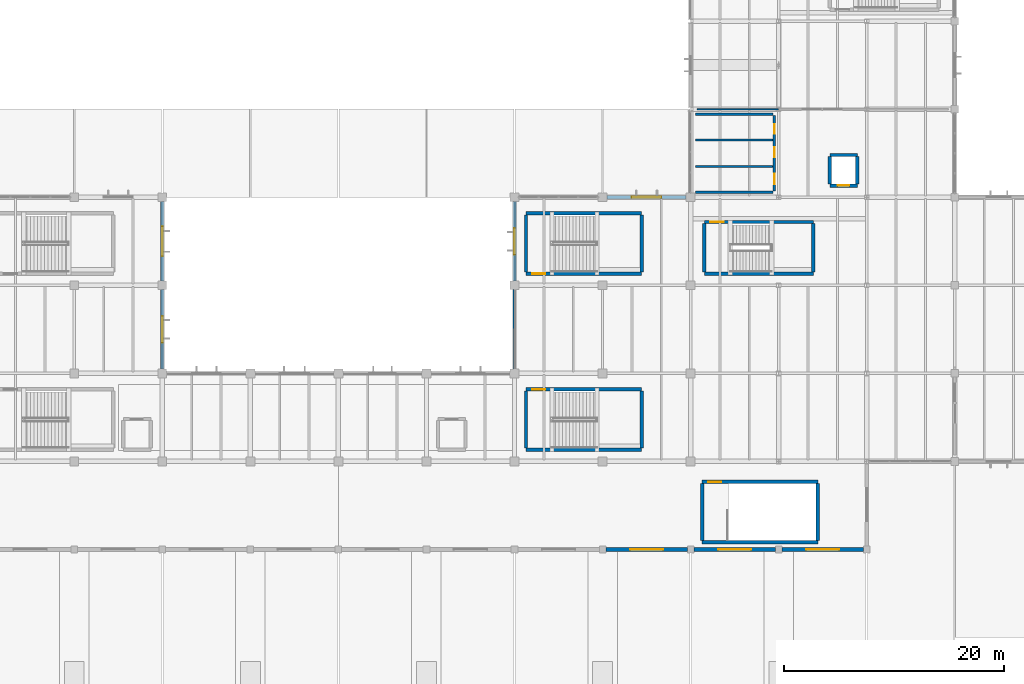
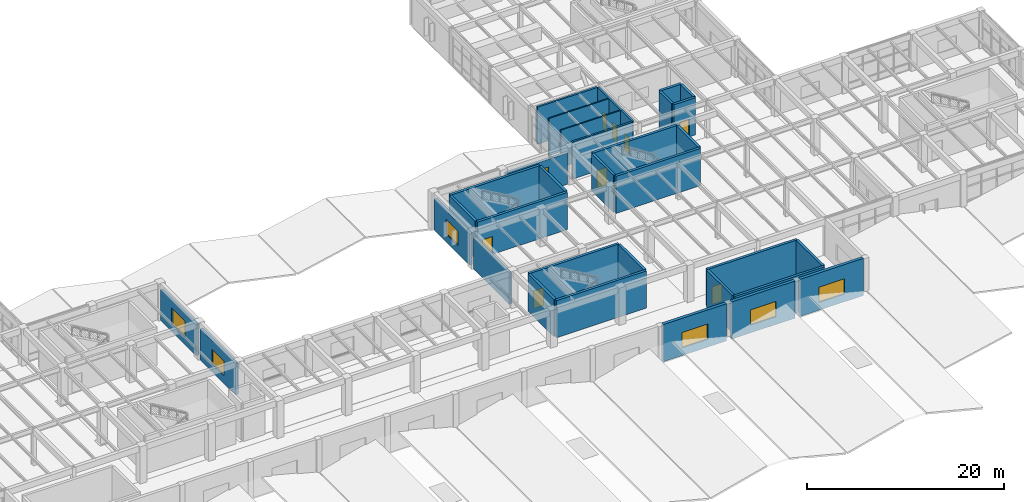
# One storey, part 45 of 60: 34 walls, 8 doors, 7 windows, 15 openings.
"""IFC4 building model written with IfcOpenShell, lengths in metres."""

from ifc_helpers import new_model, si_unit, direction, frame, frame_2d, origin, place, context, subcontext, project, spatial, rectangle, extrude, material, layer, layer_set, type_object, element, fill, save


model = new_model("IFC4")

# Units and contexts
model_context = context("Model", 3, precision=1e-05, world=origin(), true_north=direction((0.0, 1.0)))
body_context = subcontext(model_context, "Body", "Model", "MODEL_VIEW")
ifc_project = project(units=[si_unit("LENGTHUNIT", "METRE"), si_unit("AREAUNIT", "SQUARE_METRE"), si_unit("VOLUMEUNIT", "CUBIC_METRE"), si_unit("PLANEANGLEUNIT", "RADIAN"), si_unit("MASSUNIT", "GRAM", prefix="KILO")], contexts=[model_context])

# Site, building, storey
site_placement = place(None, origin())
site = spatial("IfcSite", under=ifc_project, at=site_placement, CompositionType="ELEMENT")
building_placement = place(site_placement, origin())
building = spatial("IfcBuilding", under=site, at=building_placement, Name="Varnela Railside Interchange", CompositionType="ELEMENT")
storey_placement = place(building_placement, frame((0.0, 0.0, 6.300048828125)))
storey = spatial("IfcBuildingStorey", under=building, at=storey_placement, Name="L01", CompositionType="ELEMENT", Elevation=6.300048828125)

# Walls
ifc_material_1 = material(Name="Gypsum acoustic board")
ifc_layer_1 = layer(ifc_material_1, 0.14990234375)
ifc_layer_set_1 = layer_set([ifc_layer_1], Name="Gypsum acoustic board")
wall_type_1 = type_object("IfcWallType", Name="Acoustic Drywall Partition IW-01", PredefinedType="PARTITIONING", material=ifc_layer_set_1)
for number, where, z_axis, x_axis, name in (
    (1, (116.449951171875, 64.800048828125, 0.0), (0.0, 0.0, 1.0), (1.0, 0.0, 0.0), "Acoustic Drywall Partition IW-01 (L01) (WL-0555)"),
    (2, (116.449951171875, 67.199951171875, 0.0), (0.0, 0.0, 1.0), (1.0, 0.0, 0.0), "Acoustic Drywall Partition IW-01 (L01) (WL-0556)"),
):
    element("IfcWall", number, at=place(storey_placement, frame(where, z_axis=z_axis, x_axis=x_axis)), inside=storey, type_object=wall_type_1, Name=name, PredefinedType="PARTITIONING", context=body_context, shape_type="SweptSolid", body=[
        extrude(rectangle(XDim=7.0, YDim=0.14990234375, at=frame_2d((3.5, 0.0))), origin(), (0.0, 0.0, 1.0), 4.599853515625),
    ])

# Wall, opening, window
ifc_material_2 = material(Name="Concrete C40 precast", Category="concrete")
ifc_layer_2 = layer(ifc_material_2, 0.320068359375)
ifc_layer_set_2 = layer_set([ifc_layer_2], Name="Concrete C40 precast")
wall_type_2 = type_object("IfcWallType", Name="Board-Formed Concrete Facade Wall EW-01", PredefinedType="STANDARD", material=ifc_layer_set_2)
wall_1_placement = place(storey_placement, frame((68.0, 61.60009765625, 0.0), z_axis=(0.0, 0.0, 1.0), x_axis=(0.0, -1.0, 0.0)))
wall_1 = element("IfcWall", 3, at=wall_1_placement, inside=storey, type_object=wall_type_2, Name="Board-Formed Concrete Facade Wall EW-01 (L01) (WL-0515)", PredefinedType="STANDARD", context=body_context, shape_type="SweptSolid", body=[
    extrude(rectangle(XDim=7.2001953125, YDim=0.320068359375, at=frame_2d((3.60009765625, 0.0))), origin(), (0.0, 0.0, 1.0), 3.849853515625),
])
opening_1_placement = place(wall_1_placement, frame((2.25, 0.0, 0.949951171875)))
opening_1 = element("IfcOpeningElement", 4, at=opening_1_placement, cuts=wall_1, Name="Opening W-028", PredefinedType="OPENING", context=body_context, shape_type="SweptSolid", body=[
    extrude(rectangle(XDim=2.699951171875, YDim=1.949951171875, at=frame_2d((1.35009765625, 0.97509765625))), frame((0.0, 0.169921875, 0.0), z_axis=(0.0, -1.0, 0.0), x_axis=(1.0, 0.0, 0.0)), (0.0, 0.0, 1.0), 0.340087890625),
])
ifc_material_3 = material(Name="Glass laminated double", Category="glass")
window_type_1 = type_object("IfcWindowType", Name="Sign-On Hall Wide Window WN-19", PartitioningType="SINGLE_PANEL", PredefinedType="WINDOW", material=ifc_material_3)
window_1_placement = place(opening_1_placement, origin())
window_1 = element("IfcWindow", 5, at=window_1_placement, inside=storey, type_object=window_type_1, Name="Window W-028", OverallHeight=1.949951171875, OverallWidth=2.699951171875, PartitioningType="SINGLE_PANEL", PredefinedType="WINDOW", context=body_context, shape_type="SweptSolid", body=[
    extrude(rectangle(XDim=2.699951171875, YDim=1.949951171875, at=frame_2d((1.35009765625, 0.97509765625))), frame((0.0, 0.030029296875, 0.0), z_axis=(0.0, -1.0, 0.0), x_axis=(1.0, 0.0, 0.0)), (0.0, 0.0, 1.0), 0.06005859375),
])
fill(opening_1, window_1)

wall_2_placement = place(storey_placement, frame((68.0, 53.60009765625, 0.0), z_axis=(0.0, 0.0, 1.0), x_axis=(0.0, -1.0, 0.0)))
wall_2 = element("IfcWall", 6, at=wall_2_placement, inside=storey, type_object=wall_type_2, Name="Board-Formed Concrete Facade Wall EW-01 (L01) (WL-0516)", PredefinedType="STANDARD", context=body_context, shape_type="SweptSolid", body=[
    extrude(rectangle(XDim=7.2001953125, YDim=0.320068359375, at=frame_2d((3.60009765625, 0.0))), origin(), (0.0, 0.0, 1.0), 3.849853515625),
])
opening_2_placement = place(wall_2_placement, frame((2.39990234375, 0.0, 0.949951171875)))
opening_2 = element("IfcOpeningElement", 7, at=opening_2_placement, cuts=wall_2, Name="Opening W-029", PredefinedType="OPENING", context=body_context, shape_type="SweptSolid", body=[
    extrude(rectangle(XDim=2.39990234375, YDim=1.800048828125, at=frame_2d((1.199951171875, 0.89990234375))), frame((0.0, 0.169921875, 0.0), z_axis=(0.0, -1.0, 0.0), x_axis=(1.0, 0.0, 0.0)), (0.0, 0.0, 1.0), 0.340087890625),
])
window_type_2 = type_object("IfcWindowType", Name="Concourse Clerestory Window WN-01", PartitioningType="SINGLE_PANEL", PredefinedType="WINDOW", material=ifc_material_3)
window_2_placement = place(opening_2_placement, origin())
window_2 = element("IfcWindow", 8, at=window_2_placement, inside=storey, type_object=window_type_2, Name="Window W-029", OverallHeight=1.800048828125, OverallWidth=2.39990234375, PartitioningType="SINGLE_PANEL", PredefinedType="WINDOW", context=body_context, shape_type="SweptSolid", body=[
    extrude(rectangle(XDim=2.39990234375, YDim=1.800048828125, at=frame_2d((1.199951171875, 0.89990234375))), frame((0.0, 0.030029296875, 0.0), z_axis=(0.0, -1.0, 0.0), x_axis=(1.0, 0.0, 0.0)), (0.0, 0.0, 1.0), 0.06005859375),
])
fill(opening_2, window_2)

# Wall
wall_3_placement = place(storey_placement, frame((100.0, 46.39990234375, 0.0), z_axis=(0.0, 0.0, 1.0), x_axis=(0.0, 1.0, 0.0)))
element("IfcWall", 9, at=wall_3_placement, inside=storey, type_object=wall_type_2, Name="Board-Formed Concrete Facade Wall EW-01 (L01) (WL-0521)", PredefinedType="STANDARD", context=body_context, shape_type="SweptSolid", body=[
    extrude(rectangle(XDim=7.2001953125, YDim=0.320068359375, at=frame_2d((3.60009765625, 0.0))), origin(), (0.0, 0.0, 1.0), 3.849853515625),
])

# Wall, opening, window
wall_4_placement = place(storey_placement, frame((100.0, 54.39990234375, 0.0), z_axis=(0.0, 0.0, 1.0), x_axis=(0.0, 1.0, 0.0)))
wall_4 = element("IfcWall", 10, at=wall_4_placement, inside=storey, type_object=wall_type_2, Name="Board-Formed Concrete Facade Wall EW-01 (L01) (WL-0522)", PredefinedType="STANDARD", context=body_context, shape_type="SweptSolid", body=[
    extrude(rectangle(XDim=7.2001953125, YDim=0.320068359375, at=frame_2d((3.60009765625, 0.0))), origin(), (0.0, 0.0, 1.0), 3.849853515625),
])
opening_3_placement = place(wall_4_placement, frame((2.39990234375, 0.0, 0.949951171875)))
opening_3 = element("IfcOpeningElement", 11, at=opening_3_placement, cuts=wall_4, Name="Opening W-034", PredefinedType="OPENING", context=body_context, shape_type="SweptSolid", body=[
    extrude(rectangle(XDim=2.39990234375, YDim=1.800048828125, at=frame_2d((1.199951171875, 0.89990234375))), frame((0.0, 0.169921875, 0.0), z_axis=(0.0, -1.0, 0.0), x_axis=(1.0, 0.0, 0.0)), (0.0, 0.0, 1.0), 0.340087890625),
])
window_3_placement = place(opening_3_placement, origin())
window_3 = element("IfcWindow", 12, at=window_3_placement, inside=storey, type_object=window_type_2, Name="Window W-034", OverallHeight=1.800048828125, OverallWidth=2.39990234375, PartitioningType="SINGLE_PANEL", PredefinedType="WINDOW", context=body_context, shape_type="SweptSolid", body=[
    extrude(rectangle(XDim=2.39990234375, YDim=1.800048828125, at=frame_2d((1.199951171875, 0.89990234375))), frame((0.0, 0.030029296875, 0.0), z_axis=(0.0, -1.0, 0.0), x_axis=(1.0, 0.0, 0.0)), (0.0, 0.0, 1.0), 0.06005859375),
])
fill(opening_3, window_3)

wall_5_placement = place(storey_placement, frame((108.39990234375, 62.0, 0.0), z_axis=(0.0, 0.0, 1.0), x_axis=(1.0, 0.0, 0.0)))
wall_5 = element("IfcWall", 13, at=wall_5_placement, inside=storey, type_object=wall_type_2, Name="Board-Formed Concrete Facade Wall EW-01 (L01) (WL-0523)", PredefinedType="STANDARD", context=body_context, shape_type="SweptSolid", body=[
    extrude(rectangle(XDim=7.2001953125, YDim=0.320068359375, at=frame_2d((3.60009765625, 0.0))), origin(), (0.0, 0.0, 1.0), 3.849853515625),
])
opening_4_placement = place(wall_5_placement, frame((2.25, 0.0, 0.949951171875)))
opening_4 = element("IfcOpeningElement", 14, at=opening_4_placement, cuts=wall_5, Name="Opening W-035", PredefinedType="OPENING", context=body_context, shape_type="SweptSolid", body=[
    extrude(rectangle(XDim=2.699951171875, YDim=1.949951171875, at=frame_2d((1.35009765625, 0.97509765625))), frame((0.0, 0.169921875, 0.0), z_axis=(0.0, -1.0, 0.0), x_axis=(1.0, 0.0, 0.0)), (0.0, 0.0, 1.0), 0.340087890625),
])
window_4_placement = place(opening_4_placement, origin())
window_4 = element("IfcWindow", 15, at=window_4_placement, inside=storey, type_object=window_type_1, Name="Window W-035", OverallHeight=1.949951171875, OverallWidth=2.699951171875, PartitioningType="SINGLE_PANEL", PredefinedType="WINDOW", context=body_context, shape_type="SweptSolid", body=[
    extrude(rectangle(XDim=2.699951171875, YDim=1.949951171875, at=frame_2d((1.35009765625, 0.97509765625))), frame((0.0, 0.030029296875, 0.0), z_axis=(0.0, -1.0, 0.0), x_axis=(1.0, 0.0, 0.0)), (0.0, 0.0, 1.0), 0.06005859375),
])
fill(opening_4, window_4)

ifc_layer_3 = layer(ifc_material_2, 0.35009765625)
ifc_layer_set_3 = layer_set([ifc_layer_3], Name="Concrete C40 precast")
wall_type_3 = type_object("IfcWallType", Name="Bus Deck Acoustic Concrete Wall EW-04", PredefinedType="STANDARD", material=ifc_layer_set_3)
wall_6_placement = place(storey_placement, frame((131.699951171875, 30.0, 0.0), z_axis=(0.0, 0.0, 1.0), x_axis=(-1.0, 0.0, 0.0)))
wall_6 = element("IfcWall", 16, at=wall_6_placement, inside=storey, type_object=wall_type_3, Name="Bus Deck Acoustic Concrete Wall EW-04 (L01) (WL-0536)", PredefinedType="STANDARD", context=body_context, shape_type="SweptSolid", body=[
    extrude(rectangle(XDim=7.39990234375, YDim=0.35009765625, at=frame_2d((3.699951171875, 0.0))), origin(), (0.0, 0.0, 1.0), 4.599853515625),
])
opening_5_placement = place(wall_6_placement, frame((2.199951171875, 0.0, 0.949951171875)))
opening_5 = element("IfcOpeningElement", 17, at=opening_5_placement, cuts=wall_6, Name="Opening W-047", PredefinedType="OPENING", context=body_context, shape_type="SweptSolid", body=[
    extrude(rectangle(XDim=3.0, YDim=1.89990234375, at=frame_2d((1.5, 0.949951171875))), frame((0.0, 0.18505859375, 0.0), z_axis=(0.0, -1.0, 0.0), x_axis=(1.0, 0.0, 0.0)), (0.0, 0.0, 1.0), 0.3701171875),
])
window_type_3 = type_object("IfcWindowType", Name="Bus Overlook Picture Window WN-07", PartitioningType="SINGLE_PANEL", PredefinedType="WINDOW", material=ifc_material_3)
window_5_placement = place(opening_5_placement, origin())
window_5 = element("IfcWindow", 18, at=window_5_placement, inside=storey, type_object=window_type_3, Name="Window W-047", OverallHeight=1.89990234375, OverallWidth=3.0, PartitioningType="SINGLE_PANEL", PredefinedType="WINDOW", context=body_context, shape_type="SweptSolid", body=[
    extrude(rectangle(XDim=3.0, YDim=1.89990234375, at=frame_2d((1.5, 0.949951171875))), frame((0.0, 0.030029296875, 0.0), z_axis=(0.0, -1.0, 0.0), x_axis=(1.0, 0.0, 0.0)), (0.0, 0.0, 1.0), 0.06005859375),
])
fill(opening_5, window_5)

wall_7_placement = place(storey_placement, frame((123.699951171875, 30.0, 0.0), z_axis=(0.0, 0.0, 1.0), x_axis=(-1.0, 0.0, 0.0)))
wall_7 = element("IfcWall", 19, at=wall_7_placement, inside=storey, type_object=wall_type_3, Name="Bus Deck Acoustic Concrete Wall EW-04 (L01) (WL-0537)", PredefinedType="STANDARD", context=body_context, shape_type="SweptSolid", body=[
    extrude(rectangle(XDim=7.39990234375, YDim=0.35009765625, at=frame_2d((3.699951171875, 0.0))), origin(), (0.0, 0.0, 1.0), 4.599853515625),
])
opening_6_placement = place(wall_7_placement, frame((2.199951171875, 0.0, 0.949951171875)))
opening_6 = element("IfcOpeningElement", 20, at=opening_6_placement, cuts=wall_7, Name="Opening W-048", PredefinedType="OPENING", context=body_context, shape_type="SweptSolid", body=[
    extrude(rectangle(XDim=3.0, YDim=1.89990234375, at=frame_2d((1.5, 0.949951171875))), frame((0.0, 0.18505859375, 0.0), z_axis=(0.0, -1.0, 0.0), x_axis=(1.0, 0.0, 0.0)), (0.0, 0.0, 1.0), 0.3701171875),
])
window_6_placement = place(opening_6_placement, origin())
window_6 = element("IfcWindow", 21, at=window_6_placement, inside=storey, type_object=window_type_3, Name="Window W-048", OverallHeight=1.89990234375, OverallWidth=3.0, PartitioningType="SINGLE_PANEL", PredefinedType="WINDOW", context=body_context, shape_type="SweptSolid", body=[
    extrude(rectangle(XDim=3.0, YDim=1.89990234375, at=frame_2d((1.5, 0.949951171875))), frame((0.0, 0.030029296875, 0.0), z_axis=(0.0, -1.0, 0.0), x_axis=(1.0, 0.0, 0.0)), (0.0, 0.0, 1.0), 0.06005859375),
])
fill(opening_6, window_6)

wall_8_placement = place(storey_placement, frame((115.699951171875, 30.0, 0.0), z_axis=(0.0, 0.0, 1.0), x_axis=(-1.0, 0.0, 0.0)))
wall_8 = element("IfcWall", 22, at=wall_8_placement, inside=storey, type_object=wall_type_3, Name="Bus Deck Acoustic Concrete Wall EW-04 (L01) (WL-0538)", PredefinedType="STANDARD", context=body_context, shape_type="SweptSolid", body=[
    extrude(rectangle(XDim=7.39990234375, YDim=0.35009765625, at=frame_2d((3.699951171875, 0.0))), origin(), (0.0, 0.0, 1.0), 4.599853515625),
])
opening_7_placement = place(wall_8_placement, frame((2.199951171875, 0.0, 0.949951171875)))
opening_7 = element("IfcOpeningElement", 23, at=opening_7_placement, cuts=wall_8, Name="Opening W-049", PredefinedType="OPENING", context=body_context, shape_type="SweptSolid", body=[
    extrude(rectangle(XDim=3.0, YDim=1.89990234375, at=frame_2d((1.5, 0.949951171875))), frame((0.0, 0.18505859375, 0.0), z_axis=(0.0, -1.0, 0.0), x_axis=(1.0, 0.0, 0.0)), (0.0, 0.0, 1.0), 0.3701171875),
])
window_7_placement = place(opening_7_placement, origin())
window_7 = element("IfcWindow", 24, at=window_7_placement, inside=storey, type_object=window_type_3, Name="Window W-049", OverallHeight=1.89990234375, OverallWidth=3.0, PartitioningType="SINGLE_PANEL", PredefinedType="WINDOW", context=body_context, shape_type="SweptSolid", body=[
    extrude(rectangle(XDim=3.0, YDim=1.89990234375, at=frame_2d((1.5, 0.949951171875))), frame((0.0, 0.030029296875, 0.0), z_axis=(0.0, -1.0, 0.0), x_axis=(1.0, 0.0, 0.0)), (0.0, 0.0, 1.0), 0.06005859375),
])
fill(opening_7, window_7)

# Wall
ifc_layer_4 = layer(ifc_material_3, 0.1201171875)
ifc_layer_set_4 = layer_set([ifc_layer_4], Name="Glass laminated double")
wall_type_4 = type_object("IfcWallType", Name="Glazed Operations Partition IW-03", PredefinedType="PARTITIONING", material=ifc_layer_set_4)
wall_9_placement = place(storey_placement, frame((116.60009765625, 70.0, 0.0), z_axis=(0.0, 0.0, 1.0), x_axis=(1.0, 0.0, 0.0)))
element("IfcWall", 25, at=wall_9_placement, inside=storey, type_object=wall_type_4, Name="Glazed Operations Partition IW-03 (L01) (WL-0560)", PredefinedType="PARTITIONING", context=body_context, shape_type="SweptSolid", body=[
    extrude(rectangle(XDim=7.39990234375, YDim=0.1201171875, at=frame_2d((3.699951171875, 0.0))), origin(), (0.0, 0.0, 1.0), 3.849853515625),
])

# Wall, openings, doors
ifc_material_4 = material(Name="Masonry concrete block", Category="masonry")
ifc_layer_5 = layer(ifc_material_4, 0.2099609375)
ifc_layer_set_5 = layer_set([ifc_layer_5], Name="Masonry concrete block")
wall_type_5 = type_object("IfcWallType", Name="Sanitary Plumbing Chase Wall IW-04", PredefinedType="PLUMBINGWALL", material=ifc_layer_set_5)
wall_10_placement = place(storey_placement, frame((123.60009765625, 62.550048828125, 0.0), z_axis=(0.0, 0.0, 1.0), x_axis=(0.0, 1.0, 0.0)))
wall_10 = element("IfcWall", 26, at=wall_10_placement, inside=storey, type_object=wall_type_5, Name="Sanitary Plumbing Chase Wall IW-04 (L01) (WL-0557)", PredefinedType="PLUMBINGWALL", context=body_context, shape_type="SweptSolid", body=[
    extrude(rectangle(XDim=6.89990234375, YDim=0.219970703125, at=frame_2d((3.449951171875, 0.0))), origin(), (0.0, 0.0, 1.0), 4.599853515625),
])
opening_8_placement = place(wall_10_placement, frame((0.64990234375, 0.0, 0.0)))
opening_8 = element("IfcOpeningElement", 27, at=opening_8_placement, cuts=wall_10, Name="Opening D-200", PredefinedType="OPENING", context=body_context, shape_type="SweptSolid", body=[
    extrude(rectangle(XDim=0.949951171875, YDim=2.10009765625, at=frame_2d((0.47509765625, 1.050048828125))), frame((0.0, 0.119873046875, 0.0), z_axis=(0.0, -1.0, 0.0), x_axis=(1.0, 0.0, 0.0)), (0.0, 0.0, 1.0), 0.239990234375),
])
opening_9_placement = place(wall_10_placement, frame((3.10009765625, 0.0, 0.0)))
opening_9 = element("IfcOpeningElement", 28, at=opening_9_placement, cuts=wall_10, Name="Opening D-201", PredefinedType="OPENING", context=body_context, shape_type="SweptSolid", body=[
    extrude(rectangle(XDim=0.89990234375, YDim=2.10009765625, at=frame_2d((0.449951171875, 1.050048828125))), frame((0.0, 0.119873046875, 0.0), z_axis=(0.0, -1.0, 0.0), x_axis=(1.0, 0.0, 0.0)), (0.0, 0.0, 1.0), 0.239990234375),
])
opening_10_placement = place(wall_10_placement, frame((5.199951171875, 0.0, 0.0)))
opening_10 = element("IfcOpeningElement", 29, at=opening_10_placement, cuts=wall_10, Name="Opening D-202", PredefinedType="OPENING", context=body_context, shape_type="SweptSolid", body=[
    extrude(rectangle(XDim=0.89990234375, YDim=2.10009765625, at=frame_2d((0.449951171875, 1.050048828125))), frame((0.0, 0.119873046875, 0.0), z_axis=(0.0, -1.0, 0.0), x_axis=(1.0, 0.0, 0.0)), (0.0, 0.0, 1.0), 0.239990234375),
])
ifc_material_5 = material(Name="Timber solid core", Category="wood")
door_type_1 = type_object("IfcDoorType", Name="DR-SGL-900", OperationType="NOTDEFINED", PredefinedType="DOOR", material=ifc_material_5)
door_1_placement = place(opening_9_placement, origin())
door_1 = element("IfcDoor", 30, at=door_1_placement, inside=storey, type_object=door_type_1, Name="Door D-201", OperationType="SINGLE_SWING_LEFT", OverallHeight=2.10009765625, OverallWidth=0.89990234375, PredefinedType="DOOR", context=body_context, shape_type="SweptSolid", body=[
    extrude(rectangle(XDim=0.89990234375, YDim=2.10009765625, at=frame_2d((0.449951171875, 1.050048828125))), frame((0.0, 0.02490234375, 0.0), z_axis=(0.0, -1.0, 0.0), x_axis=(1.0, 0.0, 0.0)), (0.0, 0.0, 1.0), 0.050048828125),
])
fill(opening_9, door_1)
door_2_placement = place(opening_10_placement, origin())
door_2 = element("IfcDoor", 31, at=door_2_placement, inside=storey, type_object=door_type_1, Name="Door D-202", OperationType="SINGLE_SWING_RIGHT", OverallHeight=2.10009765625, OverallWidth=0.89990234375, PredefinedType="DOOR", context=body_context, shape_type="SweptSolid", body=[
    extrude(rectangle(XDim=0.89990234375, YDim=2.10009765625, at=frame_2d((0.449951171875, 1.050048828125))), frame((0.0, 0.02490234375, 0.0), z_axis=(0.0, -1.0, 0.0), x_axis=(1.0, 0.0, 0.0)), (0.0, 0.0, 1.0), 0.050048828125),
])
fill(opening_10, door_2)
door_type_2 = type_object("IfcDoorType", Name="DR-SGL-950-ACC", OperationType="NOTDEFINED", PredefinedType="DOOR", material=ifc_material_5)
door_3_placement = place(opening_8_placement, origin())
door_3 = element("IfcDoor", 32, at=door_3_placement, inside=storey, type_object=door_type_2, Name="Door D-200", OperationType="SINGLE_SWING_RIGHT", OverallHeight=2.10009765625, OverallWidth=0.949951171875, PredefinedType="DOOR", context=body_context, shape_type="SweptSolid", body=[
    extrude(rectangle(XDim=0.949951171875, YDim=2.10009765625, at=frame_2d((0.47509765625, 1.050048828125))), frame((0.0, 0.02490234375, 0.0), z_axis=(0.0, -1.0, 0.0), x_axis=(1.0, 0.0, 0.0)), (0.0, 0.0, 1.0), 0.050048828125),
])
fill(opening_8, door_3)

# Walls
for number, where, z_axis, x_axis, name in (
    (33, (116.449951171875, 69.550048828125, 0.0), (0.0, 0.0, 1.0), (1.0, 0.0, 0.0), "Sanitary Plumbing Chase Wall IW-04 (L01) (WL-0558)"),
    (34, (116.449951171875, 62.449951171875, 0.0), (0.0, 0.0, 1.0), (1.0, 0.0, 0.0), "Sanitary Plumbing Chase Wall IW-04 (L01) (WL-0559)"),
):
    element("IfcWall", number, at=place(storey_placement, frame(where, z_axis=z_axis, x_axis=x_axis)), inside=storey, type_object=wall_type_5, Name=name, PredefinedType="PLUMBINGWALL", context=body_context, shape_type="SweptSolid", body=[
        extrude(rectangle(XDim=7.050048828125, YDim=0.219970703125, at=frame_2d((3.52490234375, 0.0))), origin(), (0.0, 0.0, 1.0), 4.599853515625),
    ])

# Wall, opening, door
ifc_material_6 = material(Name="Concrete C50", Category="concrete")
ifc_layer_6 = layer(ifc_material_6, 0.300048828125)
ifc_layer_set_6 = layer_set([ifc_layer_6], Name="Concrete C50")
wall_type_6 = type_object("IfcWallType", Name="Stair & Lift Shaft Wall SW-03", PredefinedType="SHEAR", material=ifc_layer_set_6)
wall_11_placement = place(storey_placement, frame((117.25, 59.75, 0.0), z_axis=(0.0, 0.0, 1.0), x_axis=(1.0, 0.0, 0.0)))
wall_11 = element("IfcWall", 35, at=wall_11_placement, inside=storey, type_object=wall_type_6, Name="Stair & Lift Shaft Wall SW-03 (L01) (WL-0602)", PredefinedType="SHEAR", context=body_context, shape_type="SweptSolid", body=[
    extrude(rectangle(XDim=9.89990234375, YDim=0.300048828125, at=frame_2d((4.949951171875, 0.0))), origin(), (0.0, 0.0, 1.0), 4.599853515625),
])
opening_11_placement = place(wall_11_placement, frame((0.550048828125, 0.0, 0.0)))
opening_11 = element("IfcOpeningElement", 36, at=opening_11_placement, cuts=wall_11, Name="Opening D-187", PredefinedType="OPENING", context=body_context, shape_type="SweptSolid", body=[
    extrude(rectangle(XDim=1.199951171875, YDim=2.199951171875, at=frame_2d((0.60009765625, 1.10009765625))), frame((0.0, 0.159912109375, 0.0), z_axis=(0.0, -1.0, 0.0), x_axis=(1.0, 0.0, 0.0)), (0.0, 0.0, 1.0), 0.320068359375),
])
ifc_material_7 = material(Name="Steel AR 350 (350 MPa)", Category="steel")
door_type_3 = type_object("IfcDoorType", Name="DR-SGL-1200-FD90", OperationType="NOTDEFINED", PredefinedType="DOOR", material=ifc_material_7)
door_4_placement = place(opening_11_placement, frame((1.199951171875, 0.0, 0.0), z_axis=(0.0, 0.0, 1.0), x_axis=(-1.0, 0.0, 0.0)))
door_4 = element("IfcDoor", 37, at=door_4_placement, inside=storey, type_object=door_type_3, Name="Door D-187", OperationType="SINGLE_SWING_LEFT", OverallHeight=2.199951171875, OverallWidth=1.199951171875, PredefinedType="DOOR", context=body_context, shape_type="SweptSolid", body=[
    extrude(rectangle(XDim=1.199951171875, YDim=2.199951171875, at=frame_2d((0.60009765625, 1.10009765625))), frame((0.0, 0.02490234375, 0.0), z_axis=(0.0, -1.0, 0.0), x_axis=(1.0, 0.0, 0.0)), (0.0, 0.0, 1.0), 0.050048828125),
])
fill(opening_11, door_4)

# Walls
wall_12_placement = place(storey_placement, frame((117.25, 55.050048828125, 0.0), z_axis=(0.0, 0.0, 1.0), x_axis=(1.0, 0.0, 0.0)))
element("IfcWall", 38, at=wall_12_placement, inside=storey, type_object=wall_type_6, Name="Stair & Lift Shaft Wall SW-03 (L01) (WL-0603)", PredefinedType="SHEAR", context=body_context, shape_type="SweptSolid", body=[
    extrude(rectangle(XDim=9.89990234375, YDim=0.300048828125, at=frame_2d((4.949951171875, 0.0))), origin(), (0.0, 0.0, 1.0), 4.599853515625),
])
for number, where, z_axis, x_axis, name in (
    (39, (117.25, 55.199951171875, 0.0), (0.0, 0.0, 1.0), (0.0, 1.0, 0.0), "Stair & Lift Shaft Wall SW-03 (L01) (WL-0604)"),
    (40, (127.14990234375, 55.199951171875, 0.0), (0.0, 0.0, 1.0), (0.0, 1.0, 0.0), "Stair & Lift Shaft Wall SW-03 (L01) (WL-0601)"),
):
    element("IfcWall", number, at=place(storey_placement, frame(where, z_axis=z_axis, x_axis=x_axis)), inside=storey, type_object=wall_type_6, Name=name, PredefinedType="SHEAR", context=body_context, shape_type="SweptSolid", body=[
        extrude(rectangle(XDim=4.400146484375, YDim=0.300048828125, at=frame_2d((2.2001953125, 0.0))), origin(), (0.0, 0.0, 1.0), 4.599853515625),
    ])

# Wall, opening, door
wall_13_placement = place(storey_placement, frame((101.050048828125, 44.550048828125, 0.0), z_axis=(0.0, 0.0, 1.0), x_axis=(1.0, 0.0, 0.0)))
wall_13 = element("IfcWall", 41, at=wall_13_placement, inside=storey, type_object=wall_type_6, Name="Stair & Lift Shaft Wall SW-03 (L01) (WL-0590)", PredefinedType="SHEAR", context=body_context, shape_type="SweptSolid", body=[
    extrude(rectangle(XDim=10.5, YDim=0.300048828125, at=frame_2d((5.25, 0.0))), origin(), (0.0, 0.0, 1.0), 4.599853515625),
])
opening_12_placement = place(wall_13_placement, frame((0.550048828125, 0.0, 0.0)))
opening_12 = element("IfcOpeningElement", 42, at=opening_12_placement, cuts=wall_13, Name="Opening D-191", PredefinedType="OPENING", context=body_context, shape_type="SweptSolid", body=[
    extrude(rectangle(XDim=1.199951171875, YDim=2.199951171875, at=frame_2d((0.60009765625, 1.10009765625))), frame((0.0, 0.159912109375, 0.0), z_axis=(0.0, -1.0, 0.0), x_axis=(1.0, 0.0, 0.0)), (0.0, 0.0, 1.0), 0.320068359375),
])
door_5_placement = place(opening_12_placement, frame((1.199951171875, 0.0, 0.0), z_axis=(0.0, 0.0, 1.0), x_axis=(-1.0, 0.0, 0.0)))
door_5 = element("IfcDoor", 43, at=door_5_placement, inside=storey, type_object=door_type_3, Name="Door D-191", OperationType="SINGLE_SWING_LEFT", OverallHeight=2.199951171875, OverallWidth=1.199951171875, PredefinedType="DOOR", context=body_context, shape_type="SweptSolid", body=[
    extrude(rectangle(XDim=1.199951171875, YDim=2.199951171875, at=frame_2d((0.60009765625, 1.10009765625))), frame((0.0, 0.02490234375, 0.0), z_axis=(0.0, -1.0, 0.0), x_axis=(1.0, 0.0, 0.0)), (0.0, 0.0, 1.0), 0.050048828125),
])
fill(opening_12, door_5)

# Walls
wall_14_placement = place(storey_placement, frame((101.050048828125, 39.050048828125, 0.0), z_axis=(0.0, 0.0, 1.0), x_axis=(1.0, 0.0, 0.0)))
element("IfcWall", 44, at=wall_14_placement, inside=storey, type_object=wall_type_6, Name="Stair & Lift Shaft Wall SW-03 (L01) (WL-0591)", PredefinedType="SHEAR", context=body_context, shape_type="SweptSolid", body=[
    extrude(rectangle(XDim=10.5, YDim=0.300048828125, at=frame_2d((5.25, 0.0))), origin(), (0.0, 0.0, 1.0), 4.599853515625),
])
for number, where, z_axis, x_axis, name in (
    (45, (101.050048828125, 39.199951171875, 0.0), (0.0, 0.0, 1.0), (0.0, 1.0, 0.0), "Stair & Lift Shaft Wall SW-03 (L01) (WL-0592)"),
    (46, (111.550048828125, 39.199951171875, 0.0), (0.0, 0.0, 1.0), (0.0, 1.0, 0.0), "Stair & Lift Shaft Wall SW-03 (L01) (WL-0589)"),
):
    element("IfcWall", number, at=place(storey_placement, frame(where, z_axis=z_axis, x_axis=x_axis)), inside=storey, type_object=wall_type_6, Name=name, PredefinedType="SHEAR", context=body_context, shape_type="SweptSolid", body=[
        extrude(rectangle(XDim=5.199951171875, YDim=0.300048828125, at=frame_2d((2.60009765625, 0.0))), origin(), (0.0, 0.0, 1.0), 4.599853515625),
    ])
wall_15_placement = place(storey_placement, frame((101.050048828125, 60.550048828125, 0.0), z_axis=(0.0, 0.0, 1.0), x_axis=(1.0, 0.0, 0.0)))
element("IfcWall", 47, at=wall_15_placement, inside=storey, type_object=wall_type_6, Name="Stair & Lift Shaft Wall SW-03 (L01) (WL-0598)", PredefinedType="SHEAR", context=body_context, shape_type="SweptSolid", body=[
    extrude(rectangle(XDim=10.5, YDim=0.300048828125, at=frame_2d((5.25, 0.0))), origin(), (0.0, 0.0, 1.0), 4.599853515625),
])

# Wall, opening, door
wall_16_placement = place(storey_placement, frame((101.050048828125, 55.050048828125, 0.0), z_axis=(0.0, 0.0, 1.0), x_axis=(1.0, 0.0, 0.0)))
wall_16 = element("IfcWall", 48, at=wall_16_placement, inside=storey, type_object=wall_type_6, Name="Stair & Lift Shaft Wall SW-03 (L01) (WL-0599)", PredefinedType="SHEAR", context=body_context, shape_type="SweptSolid", body=[
    extrude(rectangle(XDim=10.5, YDim=0.300048828125, at=frame_2d((5.25, 0.0))), origin(), (0.0, 0.0, 1.0), 4.599853515625),
])
opening_13_placement = place(wall_16_placement, frame((0.550048828125, 0.0, 0.0)))
opening_13 = element("IfcOpeningElement", 49, at=opening_13_placement, cuts=wall_16, Name="Opening D-193", PredefinedType="OPENING", context=body_context, shape_type="SweptSolid", body=[
    extrude(rectangle(XDim=1.199951171875, YDim=2.199951171875, at=frame_2d((0.60009765625, 1.10009765625))), frame((0.0, 0.159912109375, 0.0), z_axis=(0.0, -1.0, 0.0), x_axis=(1.0, 0.0, 0.0)), (0.0, 0.0, 1.0), 0.320068359375),
])
door_6_placement = place(opening_13_placement, origin())
door_6 = element("IfcDoor", 50, at=door_6_placement, inside=storey, type_object=door_type_3, Name="Door D-193", OperationType="SINGLE_SWING_LEFT", OverallHeight=2.199951171875, OverallWidth=1.199951171875, PredefinedType="DOOR", context=body_context, shape_type="SweptSolid", body=[
    extrude(rectangle(XDim=1.199951171875, YDim=2.199951171875, at=frame_2d((0.60009765625, 1.10009765625))), frame((0.0, 0.02490234375, 0.0), z_axis=(0.0, -1.0, 0.0), x_axis=(1.0, 0.0, 0.0)), (0.0, 0.0, 1.0), 0.050048828125),
])
fill(opening_13, door_6)

# Walls
for number, where, z_axis, x_axis, name in (
    (51, (101.050048828125, 55.199951171875, 0.0), (0.0, 0.0, 1.0), (0.0, 1.0, 0.0), "Stair & Lift Shaft Wall SW-03 (L01) (WL-0600)"),
    (52, (111.550048828125, 55.199951171875, 0.0), (0.0, 0.0, 1.0), (0.0, 1.0, 0.0), "Stair & Lift Shaft Wall SW-03 (L01) (WL-0597)"),
):
    element("IfcWall", number, at=place(storey_placement, frame(where, z_axis=z_axis, x_axis=x_axis)), inside=storey, type_object=wall_type_6, Name=name, PredefinedType="SHEAR", context=body_context, shape_type="SweptSolid", body=[
        extrude(rectangle(XDim=5.199951171875, YDim=0.300048828125, at=frame_2d((2.60009765625, 0.0))), origin(), (0.0, 0.0, 1.0), 4.599853515625),
    ])

# Wall, opening, door
wall_17_placement = place(storey_placement, frame((117.050048828125, 36.14990234375, 0.0), z_axis=(0.0, 0.0, 1.0), x_axis=(1.0, 0.0, 0.0)))
wall_17 = element("IfcWall", 53, at=wall_17_placement, inside=storey, type_object=wall_type_6, Name="Stair & Lift Shaft Wall SW-03 (L01) (WL-0618)", PredefinedType="SHEAR", context=body_context, shape_type="SweptSolid", body=[
    extrude(rectangle(XDim=10.5, YDim=0.300048828125, at=frame_2d((5.25, 0.0))), origin(), (0.0, 0.0, 1.0), 4.599853515625),
])
opening_14_placement = place(wall_17_placement, frame((0.550048828125, 0.0, 0.0)))
opening_14 = element("IfcOpeningElement", 54, at=opening_14_placement, cuts=wall_17, Name="Opening D-195", PredefinedType="OPENING", context=body_context, shape_type="SweptSolid", body=[
    extrude(rectangle(XDim=1.199951171875, YDim=2.199951171875, at=frame_2d((0.60009765625, 1.10009765625))), frame((0.0, 0.159912109375, 0.0), z_axis=(0.0, -1.0, 0.0), x_axis=(1.0, 0.0, 0.0)), (0.0, 0.0, 1.0), 0.320068359375),
])
door_7_placement = place(opening_14_placement, frame((1.199951171875, 0.0, 0.0), z_axis=(0.0, 0.0, 1.0), x_axis=(-1.0, 0.0, 0.0)))
door_7 = element("IfcDoor", 55, at=door_7_placement, inside=storey, type_object=door_type_3, Name="Door D-195", OperationType="SINGLE_SWING_LEFT", OverallHeight=2.199951171875, OverallWidth=1.199951171875, PredefinedType="DOOR", context=body_context, shape_type="SweptSolid", body=[
    extrude(rectangle(XDim=1.199951171875, YDim=2.199951171875, at=frame_2d((0.60009765625, 1.10009765625))), frame((0.0, 0.02490234375, 0.0), z_axis=(0.0, -1.0, 0.0), x_axis=(1.0, 0.0, 0.0)), (0.0, 0.0, 1.0), 0.050048828125),
])
fill(opening_14, door_7)

# Walls
wall_18_placement = place(storey_placement, frame((117.050048828125, 30.64990234375, 0.0), z_axis=(0.0, 0.0, 1.0), x_axis=(1.0, 0.0, 0.0)))
element("IfcWall", 56, at=wall_18_placement, inside=storey, type_object=wall_type_6, Name="Stair & Lift Shaft Wall SW-03 (L01) (WL-0619)", PredefinedType="SHEAR", context=body_context, shape_type="SweptSolid", body=[
    extrude(rectangle(XDim=10.5, YDim=0.300048828125, at=frame_2d((5.25, 0.0))), origin(), (0.0, 0.0, 1.0), 4.599853515625),
])
for number, where, z_axis, x_axis, name in (
    (57, (117.050048828125, 30.800048828125, 0.0), (0.0, 0.0, 1.0), (0.0, 1.0, 0.0), "Stair & Lift Shaft Wall SW-03 (L01) (WL-0620)"),
    (58, (127.550048828125, 30.800048828125, 0.0), (0.0, 0.0, 1.0), (0.0, 1.0, 0.0), "Stair & Lift Shaft Wall SW-03 (L01) (WL-0617)"),
):
    element("IfcWall", number, at=place(storey_placement, frame(where, z_axis=z_axis, x_axis=x_axis)), inside=storey, type_object=wall_type_6, Name=name, PredefinedType="SHEAR", context=body_context, shape_type="SweptSolid", body=[
        extrude(rectangle(XDim=5.199951171875, YDim=0.300048828125, at=frame_2d((2.60009765625, 0.0))), origin(), (0.0, 0.0, 1.0), 4.599853515625),
    ])
wall_19_placement = place(storey_placement, frame((128.64990234375, 65.85009765625, 0.0), z_axis=(0.0, 0.0, 1.0), x_axis=(1.0, 0.0, 0.0)))
element("IfcWall", 59, at=wall_19_placement, inside=storey, type_object=wall_type_6, Name="Stair & Lift Shaft Wall SW-03 (L01) (WL-0582)", PredefinedType="SHEAR", context=body_context, shape_type="SweptSolid", body=[
    extrude(rectangle(XDim=2.5, YDim=0.300048828125, at=frame_2d((1.25, 0.0))), origin(), (0.0, 0.0, 1.0), 4.599853515625),
])

# Wall, opening, door
wall_20_placement = place(storey_placement, frame((128.64990234375, 63.050048828125, 0.0), z_axis=(0.0, 0.0, 1.0), x_axis=(1.0, 0.0, 0.0)))
wall_20 = element("IfcWall", 60, at=wall_20_placement, inside=storey, type_object=wall_type_6, Name="Stair & Lift Shaft Wall SW-03 (L01) (WL-0583)", PredefinedType="SHEAR", context=body_context, shape_type="SweptSolid", body=[
    extrude(rectangle(XDim=2.5, YDim=0.300048828125, at=frame_2d((1.25, 0.0))), origin(), (0.0, 0.0, 1.0), 4.599853515625),
])
opening_15_placement = place(wall_20_placement, frame((0.699951171875, 0.0, 0.0)))
opening_15 = element("IfcOpeningElement", 61, at=opening_15_placement, cuts=wall_20, Name="Opening LD-042", PredefinedType="OPENING", context=body_context, shape_type="SweptSolid", body=[
    extrude(rectangle(XDim=1.080078125, YDim=2.199951171875, at=frame_2d((0.5400390625, 1.10009765625))), frame((0.0, 0.159912109375, 0.0), z_axis=(0.0, -1.0, 0.0), x_axis=(1.0, 0.0, 0.0)), (0.0, 0.0, 1.0), 0.320068359375),
])
door_type_4 = type_object("IfcDoorType", Name="DR-LIFT-1080", OperationType="SLIDING_TO_LEFT", PredefinedType="DOOR", material=ifc_material_7)
door_8_placement = place(opening_15_placement, origin())
door_8 = element("IfcDoor", 62, at=door_8_placement, inside=storey, type_object=door_type_4, Name="Door LD-042", OperationType="SLIDING_TO_LEFT", OverallHeight=2.199951171875, OverallWidth=1.080078125, PredefinedType="DOOR", context=body_context, shape_type="SweptSolid", body=[
    extrude(rectangle(XDim=1.080078125, YDim=2.199951171875, at=frame_2d((0.5400390625, 1.10009765625))), frame((0.0, 0.02490234375, 0.0), z_axis=(0.0, -1.0, 0.0), x_axis=(1.0, 0.0, 0.0)), (0.0, 0.0, 1.0), 0.050048828125),
])
fill(opening_15, door_8)

# Walls
for number, where, z_axis, x_axis, name in (
    (63, (128.64990234375, 63.199951171875, 0.0), (0.0, 0.0, 1.0), (0.0, 1.0, 0.0), "Stair & Lift Shaft Wall SW-03 (L01) (WL-0584)"),
    (64, (131.14990234375, 63.199951171875, 0.0), (0.0, 0.0, 1.0), (0.0, 1.0, 0.0), "Stair & Lift Shaft Wall SW-03 (L01) (WL-0581)"),
):
    element("IfcWall", number, at=place(storey_placement, frame(where, z_axis=z_axis, x_axis=x_axis)), inside=storey, type_object=wall_type_6, Name=name, PredefinedType="SHEAR", context=body_context, shape_type="SweptSolid", body=[
        extrude(rectangle(XDim=2.5, YDim=0.300048828125, at=frame_2d((1.25, 0.0))), origin(), (0.0, 0.0, 1.0), 4.599853515625),
    ])

save(model, "model.ifc")
